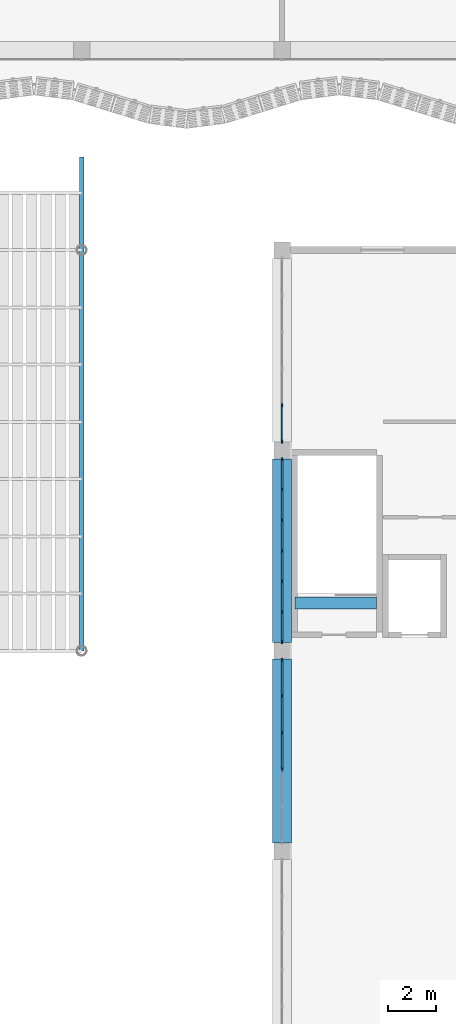
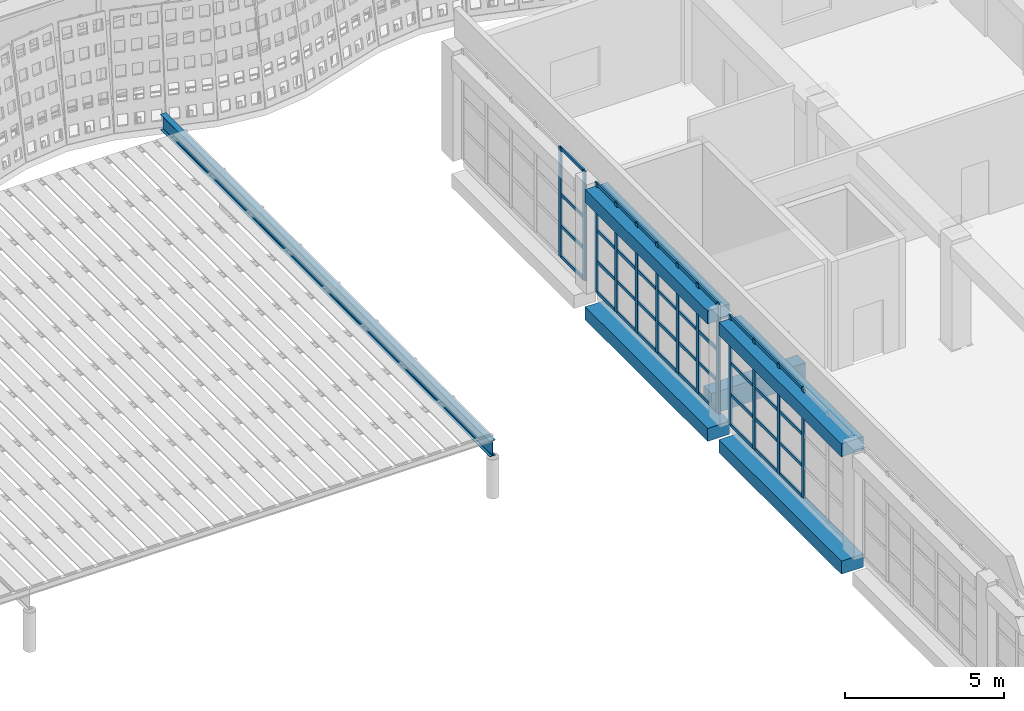
# One storey, part 42 of 162: 53 members, 6 beams, 3 elements without a shape of their own.
"""IFC4 building model written with IfcOpenShell, lengths in metres."""

from ifc_helpers import new_model, si_unit, direction, frame, origin, origin_2d, place, context, subcontext, project, spatial, rectangle, i_section, extrude, material, layer, layer_set, material_profile, profile_set, type_object, element, aggregate, save


model = new_model("IFC4")

# Units and contexts
model_context = context("Model", 3, precision=1e-05, world=origin(), true_north=direction((0.0, 1.0)))
body_context = subcontext(model_context, "Body", "Model", "MODEL_VIEW")
ifc_project = project(units=[si_unit("LENGTHUNIT", "METRE"), si_unit("AREAUNIT", "SQUARE_METRE"), si_unit("VOLUMEUNIT", "CUBIC_METRE"), si_unit("PLANEANGLEUNIT", "RADIAN"), si_unit("MASSUNIT", "GRAM", prefix="KILO")], contexts=[model_context])

# Site, building, storey
site_placement = place(None, origin())
site = spatial("IfcSite", under=ifc_project, at=site_placement, CompositionType="ELEMENT")
building_placement = place(site_placement, origin())
building = spatial("IfcBuilding", under=site, at=building_placement, Name="Rain Tree Exposition and Congress Centre", CompositionType="ELEMENT")
storey_placement = place(building_placement, frame((0.0, 0.0, 6.0)))
storey = spatial("IfcBuildingStorey", under=building, at=storey_placement, Name="L01", CompositionType="ELEMENT", Elevation=6.0)

# Curtain wall, members
ifc_material_1 = material(Name="Aluminium", Category="aluminium")
ifc_layer = layer(ifc_material_1, 0.10009765625)
ifc_layer_set = layer_set([ifc_layer], Name="Aluminium")
curtain_wall_type = type_object("IfcCurtainWallType", Name="Curtain wall congress", PredefinedType="NOTDEFINED", material=ifc_layer_set)
curtain_wall_1_placement = place(storey_placement, origin())
curtain_wall_1 = element("IfcCurtainWall", 1, at=curtain_wall_1_placement, inside=storey, type_object=curtain_wall_type, Name="Foyer curtain wall L01 bay 5", PredefinedType="NOTDEFINED")
ifc_material_2 = material(Name="Aluminium", Category="aluminium")
ifc_material_profile_1 = material_profile(ifc_material_2, rectangle(XDim=0.06005859375, YDim=0.159912109375, at=origin_2d()), Name="AL 60x160")
ifc_profile_set_1 = profile_set([ifc_material_profile_1], Name="Aluminium")
member_type_1 = type_object("IfcMemberType", Name="Curtain wall mullion 60x160 congress", PredefinedType="MULLION", material=ifc_profile_set_1)
member_1_placement = place(storey_placement, frame((151.199951171875, 45.429931640625, 0.0), z_axis=(0.0, 0.0, 1.0), x_axis=(-1.0, 0.0, 0.0)))
member_1 = element("IfcMember", 2, at=member_1_placement, type_object=member_type_1, Name="CWG405 mullion 3", PredefinedType="MULLION", context=body_context, shape_type="SweptSolid", body=[
    extrude(rectangle(XDim=0.06005859375, YDim=0.159912109375, at=origin_2d()), origin(), (0.0, 0.0, 1.0), 4.199951171875),
])
member_2_placement = place(storey_placement, frame((151.199951171875, 46.969970703125, 0.0), z_axis=(0.0, 0.0, 1.0), x_axis=(-1.0, 0.0, 0.0)))
member_2 = element("IfcMember", 3, at=member_2_placement, type_object=member_type_1, Name="CWG405 mullion 4", PredefinedType="MULLION", context=body_context, shape_type="SweptSolid", body=[
    extrude(rectangle(XDim=0.06005859375, YDim=0.159912109375, at=origin_2d()), origin(), (0.0, 0.0, 1.0), 4.199951171875),
])
member_3_placement = place(storey_placement, frame((151.199951171875, 48.510009765625, 0.0), z_axis=(0.0, 0.0, 1.0), x_axis=(-1.0, 0.0, 0.0)))
member_3 = element("IfcMember", 4, at=member_3_placement, type_object=member_type_1, Name="CWG405 mullion 5", PredefinedType="MULLION", context=body_context, shape_type="SweptSolid", body=[
    extrude(rectangle(XDim=0.06005859375, YDim=0.159912109375, at=origin_2d()), origin(), (0.0, 0.0, 1.0), 4.199951171875),
])
member_4_placement = place(storey_placement, frame((151.199951171875, 50.02001953125, 0.0), z_axis=(0.0, 0.0, 1.0), x_axis=(-1.0, 0.0, 0.0)))
member_4 = element("IfcMember", 5, at=member_4_placement, type_object=member_type_1, Name="CWG405 mullion 6", PredefinedType="MULLION", context=body_context, shape_type="SweptSolid", body=[
    extrude(rectangle(XDim=0.06005859375, YDim=0.159912109375, at=origin_2d()), origin(), (0.0, 0.0, 1.0), 4.199951171875),
])

curtain_wall_2_placement = place(storey_placement, origin())
curtain_wall_2 = element("IfcCurtainWall", 6, at=curtain_wall_2_placement, inside=storey, type_object=curtain_wall_type, Name="Foyer curtain wall L01 bay 6", PredefinedType="NOTDEFINED")
member_5_placement = place(storey_placement, frame((151.199951171875, 50.780029296875, 0.0), z_axis=(0.0, 0.0, 1.0), x_axis=(-1.0, 0.0, 0.0)))
member_5 = element("IfcMember", 7, at=member_5_placement, type_object=member_type_1, Name="CWG406 mullion 1", PredefinedType="MULLION", context=body_context, shape_type="SweptSolid", body=[
    extrude(rectangle(XDim=0.06005859375, YDim=0.159912109375, at=origin_2d()), origin(), (0.0, 0.0, 1.0), 4.199951171875),
])
member_6_placement = place(storey_placement, frame((151.199951171875, 52.033447265625, 0.0), z_axis=(0.0, 0.0, 1.0), x_axis=(-1.0, 0.0, 0.0)))
member_6 = element("IfcMember", 8, at=member_6_placement, type_object=member_type_1, Name="CWG406 mullion 2", PredefinedType="MULLION", context=body_context, shape_type="SweptSolid", body=[
    extrude(rectangle(XDim=0.06005859375, YDim=0.159912109375, at=origin_2d()), origin(), (0.0, 0.0, 1.0), 4.199951171875),
])
member_7_placement = place(storey_placement, frame((151.199951171875, 53.316650390625, 0.0), z_axis=(0.0, 0.0, 1.0), x_axis=(-1.0, 0.0, 0.0)))
member_7 = element("IfcMember", 9, at=member_7_placement, type_object=member_type_1, Name="CWG406 mullion 3", PredefinedType="MULLION", context=body_context, shape_type="SweptSolid", body=[
    extrude(rectangle(XDim=0.06005859375, YDim=0.159912109375, at=origin_2d()), origin(), (0.0, 0.0, 1.0), 4.199951171875),
])
member_8_placement = place(storey_placement, frame((151.199951171875, 54.60009765625, 0.0), z_axis=(0.0, 0.0, 1.0), x_axis=(-1.0, 0.0, 0.0)))
member_8 = element("IfcMember", 10, at=member_8_placement, type_object=member_type_1, Name="CWG406 mullion 4", PredefinedType="MULLION", context=body_context, shape_type="SweptSolid", body=[
    extrude(rectangle(XDim=0.06005859375, YDim=0.159912109375, at=origin_2d()), origin(), (0.0, 0.0, 1.0), 4.199951171875),
])
member_9_placement = place(storey_placement, frame((151.199951171875, 55.88330078125, 0.0), z_axis=(0.0, 0.0, 1.0), x_axis=(-1.0, 0.0, 0.0)))
member_9 = element("IfcMember", 11, at=member_9_placement, type_object=member_type_1, Name="CWG406 mullion 5", PredefinedType="MULLION", context=body_context, shape_type="SweptSolid", body=[
    extrude(rectangle(XDim=0.06005859375, YDim=0.159912109375, at=origin_2d()), origin(), (0.0, 0.0, 1.0), 4.199951171875),
])
member_10_placement = place(storey_placement, frame((151.199951171875, 57.166748046875, 0.0), z_axis=(0.0, 0.0, 1.0), x_axis=(-1.0, 0.0, 0.0)))
member_10 = element("IfcMember", 12, at=member_10_placement, type_object=member_type_1, Name="CWG406 mullion 6", PredefinedType="MULLION", context=body_context, shape_type="SweptSolid", body=[
    extrude(rectangle(XDim=0.06005859375, YDim=0.159912109375, at=origin_2d()), origin(), (0.0, 0.0, 1.0), 4.199951171875),
])
member_11_placement = place(storey_placement, frame((151.199951171875, 58.419921875, 0.0), z_axis=(0.0, 0.0, 1.0), x_axis=(-1.0, 0.0, 0.0)))
member_11 = element("IfcMember", 13, at=member_11_placement, type_object=member_type_1, Name="CWG406 mullion 7", PredefinedType="MULLION", context=body_context, shape_type="SweptSolid", body=[
    extrude(rectangle(XDim=0.06005859375, YDim=0.159912109375, at=origin_2d()), origin(), (0.0, 0.0, 1.0), 4.199951171875),
])

curtain_wall_3_placement = place(storey_placement, origin())
curtain_wall_3 = element("IfcCurtainWall", 14, at=curtain_wall_3_placement, inside=storey, type_object=curtain_wall_type, Name="Foyer curtain wall L01 bay 7", PredefinedType="NOTDEFINED")
member_12_placement = place(storey_placement, frame((151.199951171875, 59.179931640625, 0.0), z_axis=(0.0, 0.0, 1.0), x_axis=(-1.0, 0.0, 0.0)))
member_12 = element("IfcMember", 15, at=member_12_placement, type_object=member_type_1, Name="CWG407 mullion 1", PredefinedType="MULLION", context=body_context, shape_type="SweptSolid", body=[
    extrude(rectangle(XDim=0.06005859375, YDim=0.159912109375, at=origin_2d()), origin(), (0.0, 0.0, 1.0), 4.199951171875),
])
member_13_placement = place(storey_placement, frame((151.199951171875, 60.68994140625, 0.0), z_axis=(0.0, 0.0, 1.0), x_axis=(-1.0, 0.0, 0.0)))
member_13 = element("IfcMember", 16, at=member_13_placement, type_object=member_type_1, Name="CWG407 mullion 2", PredefinedType="MULLION", context=body_context, shape_type="SweptSolid", body=[
    extrude(rectangle(XDim=0.06005859375, YDim=0.159912109375, at=origin_2d()), origin(), (0.0, 0.0, 1.0), 4.199951171875),
])

# Member
ifc_material_3 = material(Name="Aluminium", Category="aluminium")
ifc_material_profile_2 = material_profile(ifc_material_3, rectangle(XDim=0.06005859375, YDim=0.1201171875, at=origin_2d()), Name="AL 60x120")
ifc_profile_set_2 = profile_set([ifc_material_profile_2], Name="Aluminium")
member_type_2 = type_object("IfcMemberType", Name="Curtain wall transom 60x120 congress", PredefinedType="USERDEFINED", material=ifc_profile_set_2)
member_14_placement = place(storey_placement, frame((151.199951171875, 45.4599609375, 0.030029296875), z_axis=(0.0, 1.0, 0.0), x_axis=(-1.0, 0.0, 0.0)))
member_14 = element("IfcMember", 17, at=member_14_placement, type_object=member_type_2, Name="CWG405 transom 3.1", ObjectType="TRANSOM", PredefinedType="USERDEFINED", context=body_context, shape_type="SweptSolid", body=[
    extrude(rectangle(XDim=0.06005859375, YDim=0.1201171875, at=origin_2d()), origin(), (0.0, 0.0, 1.0), 1.47998046875),
])

member_15_placement = place(storey_placement, frame((151.199951171875, 45.4599609375, 1.199951171875), z_axis=(0.0, 1.0, 0.0), x_axis=(-1.0, 0.0, 0.0)))
member_15 = element("IfcMember", 18, at=member_15_placement, type_object=member_type_2, Name="CWG405 transom 3.2", ObjectType="TRANSOM", PredefinedType="USERDEFINED", context=body_context, shape_type="SweptSolid", body=[
    extrude(rectangle(XDim=0.06005859375, YDim=0.1201171875, at=origin_2d()), origin(), (0.0, 0.0, 1.0), 1.47998046875),
])

member_16_placement = place(storey_placement, frame((151.199951171875, 45.4599609375, 2.39990234375), z_axis=(0.0, 1.0, 0.0), x_axis=(-1.0, 0.0, 0.0)))
member_16 = element("IfcMember", 19, at=member_16_placement, type_object=member_type_2, Name="CWG405 transom 3.3", ObjectType="TRANSOM", PredefinedType="USERDEFINED", context=body_context, shape_type="SweptSolid", body=[
    extrude(rectangle(XDim=0.06005859375, YDim=0.1201171875, at=origin_2d()), origin(), (0.0, 0.0, 1.0), 1.47998046875),
])

member_17_placement = place(storey_placement, frame((151.199951171875, 45.4599609375, 4.169921875), z_axis=(0.0, 1.0, 0.0), x_axis=(-1.0, 0.0, 0.0)))
member_17 = element("IfcMember", 20, at=member_17_placement, type_object=member_type_2, Name="CWG405 transom 3.4", ObjectType="TRANSOM", PredefinedType="USERDEFINED", context=body_context, shape_type="SweptSolid", body=[
    extrude(rectangle(XDim=0.06005859375, YDim=0.1201171875, at=origin_2d()), origin(), (0.0, 0.0, 1.0), 1.47998046875),
])

member_18_placement = place(storey_placement, frame((151.199951171875, 47.0, 0.030029296875), z_axis=(0.0, 1.0, 0.0), x_axis=(-1.0, 0.0, 0.0)))
member_18 = element("IfcMember", 21, at=member_18_placement, type_object=member_type_2, Name="CWG405 transom 4.1", ObjectType="TRANSOM", PredefinedType="USERDEFINED", context=body_context, shape_type="SweptSolid", body=[
    extrude(rectangle(XDim=0.06005859375, YDim=0.1201171875, at=origin_2d()), origin(), (0.0, 0.0, 1.0), 1.47998046875),
])

member_19_placement = place(storey_placement, frame((151.199951171875, 47.0, 1.199951171875), z_axis=(0.0, 1.0, 0.0), x_axis=(-1.0, 0.0, 0.0)))
member_19 = element("IfcMember", 22, at=member_19_placement, type_object=member_type_2, Name="CWG405 transom 4.2", ObjectType="TRANSOM", PredefinedType="USERDEFINED", context=body_context, shape_type="SweptSolid", body=[
    extrude(rectangle(XDim=0.06005859375, YDim=0.1201171875, at=origin_2d()), origin(), (0.0, 0.0, 1.0), 1.47998046875),
])

member_20_placement = place(storey_placement, frame((151.199951171875, 47.0, 2.39990234375), z_axis=(0.0, 1.0, 0.0), x_axis=(-1.0, 0.0, 0.0)))
member_20 = element("IfcMember", 23, at=member_20_placement, type_object=member_type_2, Name="CWG405 transom 4.3", ObjectType="TRANSOM", PredefinedType="USERDEFINED", context=body_context, shape_type="SweptSolid", body=[
    extrude(rectangle(XDim=0.06005859375, YDim=0.1201171875, at=origin_2d()), origin(), (0.0, 0.0, 1.0), 1.47998046875),
])

member_21_placement = place(storey_placement, frame((151.199951171875, 47.0, 4.169921875), z_axis=(0.0, 1.0, 0.0), x_axis=(-1.0, 0.0, 0.0)))
member_21 = element("IfcMember", 24, at=member_21_placement, type_object=member_type_2, Name="CWG405 transom 4.4", ObjectType="TRANSOM", PredefinedType="USERDEFINED", context=body_context, shape_type="SweptSolid", body=[
    extrude(rectangle(XDim=0.06005859375, YDim=0.1201171875, at=origin_2d()), origin(), (0.0, 0.0, 1.0), 1.47998046875),
])

member_22_placement = place(storey_placement, frame((151.199951171875, 48.5400390625, 0.030029296875), z_axis=(0.0, 1.0, 0.0), x_axis=(-1.0, 0.0, 0.0)))
member_22 = element("IfcMember", 25, at=member_22_placement, type_object=member_type_2, Name="CWG405 transom 5.1", ObjectType="TRANSOM", PredefinedType="USERDEFINED", context=body_context, shape_type="SweptSolid", body=[
    extrude(rectangle(XDim=0.06005859375, YDim=0.1201171875, at=origin_2d()), origin(), (0.0, 0.0, 1.0), 1.449951171875),
])

member_23_placement = place(storey_placement, frame((151.199951171875, 48.5400390625, 1.199951171875), z_axis=(0.0, 1.0, 0.0), x_axis=(-1.0, 0.0, 0.0)))
member_23 = element("IfcMember", 26, at=member_23_placement, type_object=member_type_2, Name="CWG405 transom 5.2", ObjectType="TRANSOM", PredefinedType="USERDEFINED", context=body_context, shape_type="SweptSolid", body=[
    extrude(rectangle(XDim=0.06005859375, YDim=0.1201171875, at=origin_2d()), origin(), (0.0, 0.0, 1.0), 1.449951171875),
])

member_24_placement = place(storey_placement, frame((151.199951171875, 48.5400390625, 2.39990234375), z_axis=(0.0, 1.0, 0.0), x_axis=(-1.0, 0.0, 0.0)))
member_24 = element("IfcMember", 27, at=member_24_placement, type_object=member_type_2, Name="CWG405 transom 5.3", ObjectType="TRANSOM", PredefinedType="USERDEFINED", context=body_context, shape_type="SweptSolid", body=[
    extrude(rectangle(XDim=0.06005859375, YDim=0.1201171875, at=origin_2d()), origin(), (0.0, 0.0, 1.0), 1.449951171875),
])

member_25_placement = place(storey_placement, frame((151.199951171875, 48.5400390625, 4.169921875), z_axis=(0.0, 1.0, 0.0), x_axis=(-1.0, 0.0, 0.0)))
member_25 = element("IfcMember", 28, at=member_25_placement, type_object=member_type_2, Name="CWG405 transom 5.4", ObjectType="TRANSOM", PredefinedType="USERDEFINED", context=body_context, shape_type="SweptSolid", body=[
    extrude(rectangle(XDim=0.06005859375, YDim=0.1201171875, at=origin_2d()), origin(), (0.0, 0.0, 1.0), 1.449951171875),
])

aggregate(curtain_wall_1, [member_1, member_2, member_3, member_4, member_14, member_15, member_16, member_17, member_18, member_19, member_20, member_21, member_22, member_23, member_24, member_25])

member_26_placement = place(storey_placement, frame((151.199951171875, 50.81005859375, 0.030029296875), z_axis=(0.0, 1.0, 0.0), x_axis=(-1.0, 0.0, 0.0)))
member_26 = element("IfcMember", 29, at=member_26_placement, type_object=member_type_2, Name="CWG406 transom 1.1", ObjectType="TRANSOM", PredefinedType="USERDEFINED", context=body_context, shape_type="SweptSolid", body=[
    extrude(rectangle(XDim=0.06005859375, YDim=0.1201171875, at=origin_2d()), origin(), (0.0, 0.0, 1.0), 1.193359375),
])

member_27_placement = place(storey_placement, frame((151.199951171875, 50.81005859375, 1.199951171875), z_axis=(0.0, 1.0, 0.0), x_axis=(-1.0, 0.0, 0.0)))
member_27 = element("IfcMember", 30, at=member_27_placement, type_object=member_type_2, Name="CWG406 transom 1.2", ObjectType="TRANSOM", PredefinedType="USERDEFINED", context=body_context, shape_type="SweptSolid", body=[
    extrude(rectangle(XDim=0.06005859375, YDim=0.1201171875, at=origin_2d()), origin(), (0.0, 0.0, 1.0), 1.193359375),
])

member_28_placement = place(storey_placement, frame((151.199951171875, 50.81005859375, 2.39990234375), z_axis=(0.0, 1.0, 0.0), x_axis=(-1.0, 0.0, 0.0)))
member_28 = element("IfcMember", 31, at=member_28_placement, type_object=member_type_2, Name="CWG406 transom 1.3", ObjectType="TRANSOM", PredefinedType="USERDEFINED", context=body_context, shape_type="SweptSolid", body=[
    extrude(rectangle(XDim=0.06005859375, YDim=0.1201171875, at=origin_2d()), origin(), (0.0, 0.0, 1.0), 1.193359375),
])

member_29_placement = place(storey_placement, frame((151.199951171875, 50.81005859375, 4.169921875), z_axis=(0.0, 1.0, 0.0), x_axis=(-1.0, 0.0, 0.0)))
member_29 = element("IfcMember", 32, at=member_29_placement, type_object=member_type_2, Name="CWG406 transom 1.4", ObjectType="TRANSOM", PredefinedType="USERDEFINED", context=body_context, shape_type="SweptSolid", body=[
    extrude(rectangle(XDim=0.06005859375, YDim=0.1201171875, at=origin_2d()), origin(), (0.0, 0.0, 1.0), 1.193359375),
])

member_30_placement = place(storey_placement, frame((151.199951171875, 52.063232421875, 0.030029296875), z_axis=(0.0, 1.0, 0.0), x_axis=(-1.0, 0.0, 0.0)))
member_30 = element("IfcMember", 33, at=member_30_placement, type_object=member_type_2, Name="CWG406 transom 2.1", ObjectType="TRANSOM", PredefinedType="USERDEFINED", context=body_context, shape_type="SweptSolid", body=[
    extrude(rectangle(XDim=0.06005859375, YDim=0.1201171875, at=origin_2d()), origin(), (0.0, 0.0, 1.0), 1.223388671875),
])

member_31_placement = place(storey_placement, frame((151.199951171875, 52.063232421875, 1.199951171875), z_axis=(0.0, 1.0, 0.0), x_axis=(-1.0, 0.0, 0.0)))
member_31 = element("IfcMember", 34, at=member_31_placement, type_object=member_type_2, Name="CWG406 transom 2.2", ObjectType="TRANSOM", PredefinedType="USERDEFINED", context=body_context, shape_type="SweptSolid", body=[
    extrude(rectangle(XDim=0.06005859375, YDim=0.1201171875, at=origin_2d()), origin(), (0.0, 0.0, 1.0), 1.223388671875),
])

member_32_placement = place(storey_placement, frame((151.199951171875, 52.063232421875, 2.39990234375), z_axis=(0.0, 1.0, 0.0), x_axis=(-1.0, 0.0, 0.0)))
member_32 = element("IfcMember", 35, at=member_32_placement, type_object=member_type_2, Name="CWG406 transom 2.3", ObjectType="TRANSOM", PredefinedType="USERDEFINED", context=body_context, shape_type="SweptSolid", body=[
    extrude(rectangle(XDim=0.06005859375, YDim=0.1201171875, at=origin_2d()), origin(), (0.0, 0.0, 1.0), 1.223388671875),
])

member_33_placement = place(storey_placement, frame((151.199951171875, 52.063232421875, 4.169921875), z_axis=(0.0, 1.0, 0.0), x_axis=(-1.0, 0.0, 0.0)))
member_33 = element("IfcMember", 36, at=member_33_placement, type_object=member_type_2, Name="CWG406 transom 2.4", ObjectType="TRANSOM", PredefinedType="USERDEFINED", context=body_context, shape_type="SweptSolid", body=[
    extrude(rectangle(XDim=0.06005859375, YDim=0.1201171875, at=origin_2d()), origin(), (0.0, 0.0, 1.0), 1.223388671875),
])

member_34_placement = place(storey_placement, frame((151.199951171875, 53.3466796875, 0.030029296875), z_axis=(0.0, 1.0, 0.0), x_axis=(-1.0, 0.0, 0.0)))
member_34 = element("IfcMember", 37, at=member_34_placement, type_object=member_type_2, Name="CWG406 transom 3.1", ObjectType="TRANSOM", PredefinedType="USERDEFINED", context=body_context, shape_type="SweptSolid", body=[
    extrude(rectangle(XDim=0.06005859375, YDim=0.1201171875, at=origin_2d()), origin(), (0.0, 0.0, 1.0), 1.223388671875),
])

member_35_placement = place(storey_placement, frame((151.199951171875, 53.3466796875, 1.199951171875), z_axis=(0.0, 1.0, 0.0), x_axis=(-1.0, 0.0, 0.0)))
member_35 = element("IfcMember", 38, at=member_35_placement, type_object=member_type_2, Name="CWG406 transom 3.2", ObjectType="TRANSOM", PredefinedType="USERDEFINED", context=body_context, shape_type="SweptSolid", body=[
    extrude(rectangle(XDim=0.06005859375, YDim=0.1201171875, at=origin_2d()), origin(), (0.0, 0.0, 1.0), 1.223388671875),
])

member_36_placement = place(storey_placement, frame((151.199951171875, 53.3466796875, 2.39990234375), z_axis=(0.0, 1.0, 0.0), x_axis=(-1.0, 0.0, 0.0)))
member_36 = element("IfcMember", 39, at=member_36_placement, type_object=member_type_2, Name="CWG406 transom 3.3", ObjectType="TRANSOM", PredefinedType="USERDEFINED", context=body_context, shape_type="SweptSolid", body=[
    extrude(rectangle(XDim=0.06005859375, YDim=0.1201171875, at=origin_2d()), origin(), (0.0, 0.0, 1.0), 1.223388671875),
])

member_37_placement = place(storey_placement, frame((151.199951171875, 53.3466796875, 4.169921875), z_axis=(0.0, 1.0, 0.0), x_axis=(-1.0, 0.0, 0.0)))
member_37 = element("IfcMember", 40, at=member_37_placement, type_object=member_type_2, Name="CWG406 transom 3.4", ObjectType="TRANSOM", PredefinedType="USERDEFINED", context=body_context, shape_type="SweptSolid", body=[
    extrude(rectangle(XDim=0.06005859375, YDim=0.1201171875, at=origin_2d()), origin(), (0.0, 0.0, 1.0), 1.223388671875),
])

member_38_placement = place(storey_placement, frame((151.199951171875, 54.6298828125, 0.030029296875), z_axis=(0.0, 1.0, 0.0), x_axis=(-1.0, 0.0, 0.0)))
member_38 = element("IfcMember", 41, at=member_38_placement, type_object=member_type_2, Name="CWG406 transom 4.1", ObjectType="TRANSOM", PredefinedType="USERDEFINED", context=body_context, shape_type="SweptSolid", body=[
    extrude(rectangle(XDim=0.06005859375, YDim=0.1201171875, at=origin_2d()), origin(), (0.0, 0.0, 1.0), 1.223388671875),
])

member_39_placement = place(storey_placement, frame((151.199951171875, 54.6298828125, 1.199951171875), z_axis=(0.0, 1.0, 0.0), x_axis=(-1.0, 0.0, 0.0)))
member_39 = element("IfcMember", 42, at=member_39_placement, type_object=member_type_2, Name="CWG406 transom 4.2", ObjectType="TRANSOM", PredefinedType="USERDEFINED", context=body_context, shape_type="SweptSolid", body=[
    extrude(rectangle(XDim=0.06005859375, YDim=0.1201171875, at=origin_2d()), origin(), (0.0, 0.0, 1.0), 1.223388671875),
])

member_40_placement = place(storey_placement, frame((151.199951171875, 54.6298828125, 2.39990234375), z_axis=(0.0, 1.0, 0.0), x_axis=(-1.0, 0.0, 0.0)))
member_40 = element("IfcMember", 43, at=member_40_placement, type_object=member_type_2, Name="CWG406 transom 4.3", ObjectType="TRANSOM", PredefinedType="USERDEFINED", context=body_context, shape_type="SweptSolid", body=[
    extrude(rectangle(XDim=0.06005859375, YDim=0.1201171875, at=origin_2d()), origin(), (0.0, 0.0, 1.0), 1.223388671875),
])

member_41_placement = place(storey_placement, frame((151.199951171875, 54.6298828125, 4.169921875), z_axis=(0.0, 1.0, 0.0), x_axis=(-1.0, 0.0, 0.0)))
member_41 = element("IfcMember", 44, at=member_41_placement, type_object=member_type_2, Name="CWG406 transom 4.4", ObjectType="TRANSOM", PredefinedType="USERDEFINED", context=body_context, shape_type="SweptSolid", body=[
    extrude(rectangle(XDim=0.06005859375, YDim=0.1201171875, at=origin_2d()), origin(), (0.0, 0.0, 1.0), 1.223388671875),
])

member_42_placement = place(storey_placement, frame((151.199951171875, 55.913330078125, 0.030029296875), z_axis=(0.0, 1.0, 0.0), x_axis=(-1.0, 0.0, 0.0)))
member_42 = element("IfcMember", 45, at=member_42_placement, type_object=member_type_2, Name="CWG406 transom 5.1", ObjectType="TRANSOM", PredefinedType="USERDEFINED", context=body_context, shape_type="SweptSolid", body=[
    extrude(rectangle(XDim=0.06005859375, YDim=0.1201171875, at=origin_2d()), origin(), (0.0, 0.0, 1.0), 1.223388671875),
])

member_43_placement = place(storey_placement, frame((151.199951171875, 55.913330078125, 1.199951171875), z_axis=(0.0, 1.0, 0.0), x_axis=(-1.0, 0.0, 0.0)))
member_43 = element("IfcMember", 46, at=member_43_placement, type_object=member_type_2, Name="CWG406 transom 5.2", ObjectType="TRANSOM", PredefinedType="USERDEFINED", context=body_context, shape_type="SweptSolid", body=[
    extrude(rectangle(XDim=0.06005859375, YDim=0.1201171875, at=origin_2d()), origin(), (0.0, 0.0, 1.0), 1.223388671875),
])

member_44_placement = place(storey_placement, frame((151.199951171875, 55.913330078125, 2.39990234375), z_axis=(0.0, 1.0, 0.0), x_axis=(-1.0, 0.0, 0.0)))
member_44 = element("IfcMember", 47, at=member_44_placement, type_object=member_type_2, Name="CWG406 transom 5.3", ObjectType="TRANSOM", PredefinedType="USERDEFINED", context=body_context, shape_type="SweptSolid", body=[
    extrude(rectangle(XDim=0.06005859375, YDim=0.1201171875, at=origin_2d()), origin(), (0.0, 0.0, 1.0), 1.223388671875),
])

member_45_placement = place(storey_placement, frame((151.199951171875, 55.913330078125, 4.169921875), z_axis=(0.0, 1.0, 0.0), x_axis=(-1.0, 0.0, 0.0)))
member_45 = element("IfcMember", 48, at=member_45_placement, type_object=member_type_2, Name="CWG406 transom 5.4", ObjectType="TRANSOM", PredefinedType="USERDEFINED", context=body_context, shape_type="SweptSolid", body=[
    extrude(rectangle(XDim=0.06005859375, YDim=0.1201171875, at=origin_2d()), origin(), (0.0, 0.0, 1.0), 1.223388671875),
])

member_46_placement = place(storey_placement, frame((151.199951171875, 57.19677734375, 0.030029296875), z_axis=(0.0, 1.0, 0.0), x_axis=(-1.0, 0.0, 0.0)))
member_46 = element("IfcMember", 49, at=member_46_placement, type_object=member_type_2, Name="CWG406 transom 6.1", ObjectType="TRANSOM", PredefinedType="USERDEFINED", context=body_context, shape_type="SweptSolid", body=[
    extrude(rectangle(XDim=0.06005859375, YDim=0.1201171875, at=origin_2d()), origin(), (0.0, 0.0, 1.0), 1.193115234375),
])

member_47_placement = place(storey_placement, frame((151.199951171875, 57.19677734375, 1.199951171875), z_axis=(0.0, 1.0, 0.0), x_axis=(-1.0, 0.0, 0.0)))
member_47 = element("IfcMember", 50, at=member_47_placement, type_object=member_type_2, Name="CWG406 transom 6.2", ObjectType="TRANSOM", PredefinedType="USERDEFINED", context=body_context, shape_type="SweptSolid", body=[
    extrude(rectangle(XDim=0.06005859375, YDim=0.1201171875, at=origin_2d()), origin(), (0.0, 0.0, 1.0), 1.193115234375),
])

member_48_placement = place(storey_placement, frame((151.199951171875, 57.19677734375, 2.39990234375), z_axis=(0.0, 1.0, 0.0), x_axis=(-1.0, 0.0, 0.0)))
member_48 = element("IfcMember", 51, at=member_48_placement, type_object=member_type_2, Name="CWG406 transom 6.3", ObjectType="TRANSOM", PredefinedType="USERDEFINED", context=body_context, shape_type="SweptSolid", body=[
    extrude(rectangle(XDim=0.06005859375, YDim=0.1201171875, at=origin_2d()), origin(), (0.0, 0.0, 1.0), 1.193115234375),
])

member_49_placement = place(storey_placement, frame((151.199951171875, 57.19677734375, 4.169921875), z_axis=(0.0, 1.0, 0.0), x_axis=(-1.0, 0.0, 0.0)))
member_49 = element("IfcMember", 52, at=member_49_placement, type_object=member_type_2, Name="CWG406 transom 6.4", ObjectType="TRANSOM", PredefinedType="USERDEFINED", context=body_context, shape_type="SweptSolid", body=[
    extrude(rectangle(XDim=0.06005859375, YDim=0.1201171875, at=origin_2d()), origin(), (0.0, 0.0, 1.0), 1.193115234375),
])

aggregate(curtain_wall_2, [member_5, member_6, member_7, member_8, member_9, member_10, member_11, member_26, member_27, member_28, member_29, member_30, member_31, member_32, member_33, member_34, member_35, member_36, member_37, member_38, member_39, member_40, member_41, member_42, member_43, member_44, member_45, member_46, member_47, member_48, member_49])

member_50_placement = place(storey_placement, frame((151.199951171875, 59.2099609375, 0.030029296875), z_axis=(0.0, 1.0, 0.0), x_axis=(-1.0, 0.0, 0.0)))
member_50 = element("IfcMember", 53, at=member_50_placement, type_object=member_type_2, Name="CWG407 transom 1.1", ObjectType="TRANSOM", PredefinedType="USERDEFINED", context=body_context, shape_type="SweptSolid", body=[
    extrude(rectangle(XDim=0.06005859375, YDim=0.1201171875, at=origin_2d()), origin(), (0.0, 0.0, 1.0), 1.449951171875),
])

member_51_placement = place(storey_placement, frame((151.199951171875, 59.2099609375, 1.199951171875), z_axis=(0.0, 1.0, 0.0), x_axis=(-1.0, 0.0, 0.0)))
member_51 = element("IfcMember", 54, at=member_51_placement, type_object=member_type_2, Name="CWG407 transom 1.2", ObjectType="TRANSOM", PredefinedType="USERDEFINED", context=body_context, shape_type="SweptSolid", body=[
    extrude(rectangle(XDim=0.06005859375, YDim=0.1201171875, at=origin_2d()), origin(), (0.0, 0.0, 1.0), 1.449951171875),
])

member_52_placement = place(storey_placement, frame((151.199951171875, 59.2099609375, 2.39990234375), z_axis=(0.0, 1.0, 0.0), x_axis=(-1.0, 0.0, 0.0)))
member_52 = element("IfcMember", 55, at=member_52_placement, type_object=member_type_2, Name="CWG407 transom 1.3", ObjectType="TRANSOM", PredefinedType="USERDEFINED", context=body_context, shape_type="SweptSolid", body=[
    extrude(rectangle(XDim=0.06005859375, YDim=0.1201171875, at=origin_2d()), origin(), (0.0, 0.0, 1.0), 1.449951171875),
])

member_53_placement = place(storey_placement, frame((151.199951171875, 59.2099609375, 4.169921875), z_axis=(0.0, 1.0, 0.0), x_axis=(-1.0, 0.0, 0.0)))
member_53 = element("IfcMember", 56, at=member_53_placement, type_object=member_type_2, Name="CWG407 transom 1.4", ObjectType="TRANSOM", PredefinedType="USERDEFINED", context=body_context, shape_type="SweptSolid", body=[
    extrude(rectangle(XDim=0.06005859375, YDim=0.1201171875, at=origin_2d()), origin(), (0.0, 0.0, 1.0), 1.449951171875),
])

aggregate(curtain_wall_3, [member_12, member_13, member_50, member_51, member_52, member_53])

# Beams
ifc_material_4 = material(Name="Precast concrete C50/60", Category="concrete")
ifc_material_profile_3 = material_profile(ifc_material_4, rectangle(XDim=0.5, YDim=0.800048828125, at=origin_2d()), Name="RC 500x800")
ifc_profile_set_3 = profile_set([ifc_material_profile_3], Name="Precast concrete C50/60")
beam_type_1 = type_object("IfcBeamType", Name="Precast beam 500x800", PredefinedType="BEAM", material=ifc_profile_set_3)
for number, where, z_axis, x_axis, name in (
    (57, (151.199951171875, 42.35009765625, -0.699951171875), (0.0, 1.0, 0.0), (0.0, 0.0, 1.0), "Foyer beam"),
    (58, (151.199951171875, 50.75, -0.699951171875), (0.0, 1.0, 0.0), (0.0, 0.0, 1.0), "Foyer beam"),
    (59, (151.199951171875, 42.35009765625, 3.800048828125), (0.0, 1.0, 0.0), (0.0, 0.0, 1.0), "Foyer beam"),
    (60, (151.199951171875, 50.75, 3.800048828125), (0.0, 1.0, 0.0), (0.0, 0.0, 1.0), "Foyer beam"),
):
    element("IfcBeam", number, at=place(storey_placement, frame(where, z_axis=z_axis, x_axis=x_axis)), inside=storey, type_object=beam_type_1, Name=name, PredefinedType="BEAM", context=body_context, shape_type="SweptSolid", body=[
        extrude(rectangle(XDim=0.5, YDim=0.800048828125, at=origin_2d()), origin(), (0.0, 0.0, 1.0), 7.699951171875),
    ])
beam_1_placement = place(storey_placement, frame((151.75, 52.39990234375, -0.699951171875), z_axis=(1.0, 0.0, 0.0), x_axis=(0.0, 1.0, 0.0)))
element("IfcBeam", 61, at=beam_1_placement, inside=storey, type_object=beam_type_1, Name="Stair top landing beam", PredefinedType="BEAM", context=body_context, shape_type="SweptSolid", body=[
    extrude(rectangle(XDim=0.5, YDim=0.800048828125, at=origin_2d()), origin(), (0.0, 0.0, 1.0), 3.39990234375),
])
ifc_material_5 = material(Name="Steel S355J2", Category="steel")
ifc_material_profile_4 = material_profile(ifc_material_5, i_section(OverallWidth=0.199951171875, OverallDepth=0.60009765625, WebThickness=0.010986328125, FlangeThickness=0.01708984375, FilletRadius=0.02197265625, at=origin_2d()), Name="H 600x200x11x17")
ifc_profile_set_4 = profile_set([ifc_material_profile_4], Name="Steel S355J2")
beam_type_2 = type_object("IfcBeamType", Name="Steel beam H 600x200x11x17", PredefinedType="BEAM", material=ifc_profile_set_4)
beam_2_placement = place(storey_placement, frame((142.800048828125, 50.39990234375, 1.800048828125), z_axis=(0.0, 1.0, 0.0), x_axis=(-1.0, 0.0, 0.0)))
element("IfcBeam", 62, at=beam_2_placement, inside=storey, type_object=beam_type_2, Name="Canopy primary beam 6", PredefinedType="BEAM", context=body_context, shape_type="SweptSolid", body=[
    extrude(i_section(OverallWidth=0.199951171875, OverallDepth=0.60009765625, WebThickness=0.010986328125, FlangeThickness=0.01708984375, FilletRadius=0.02197265625, at=origin_2d()), origin(), (0.0, 0.0, 1.0), 20.7001953125),
])

save(model, "model.ifc")
